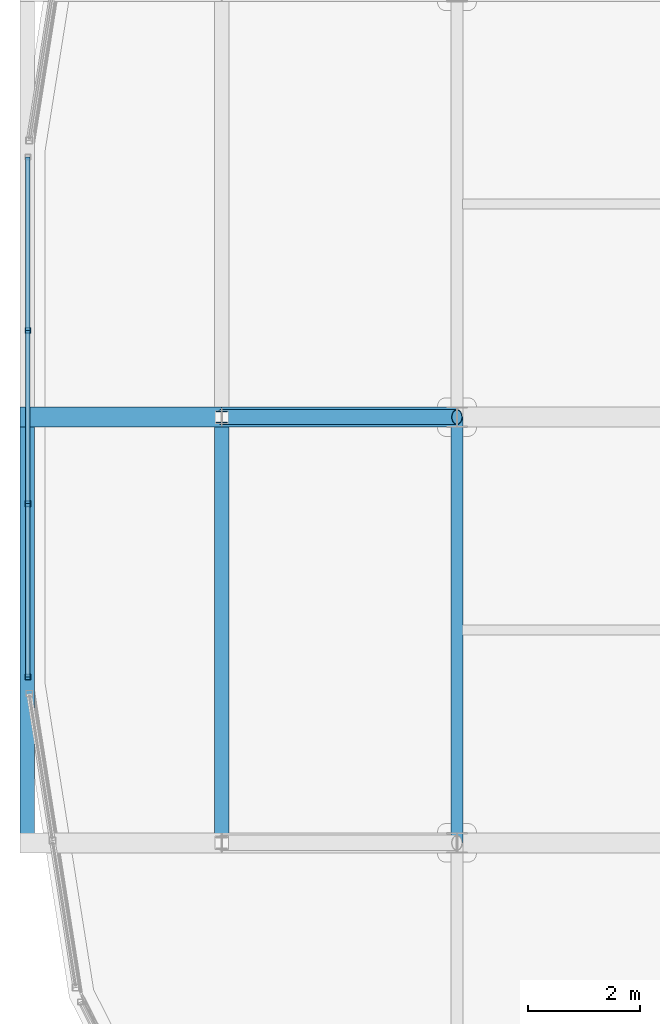
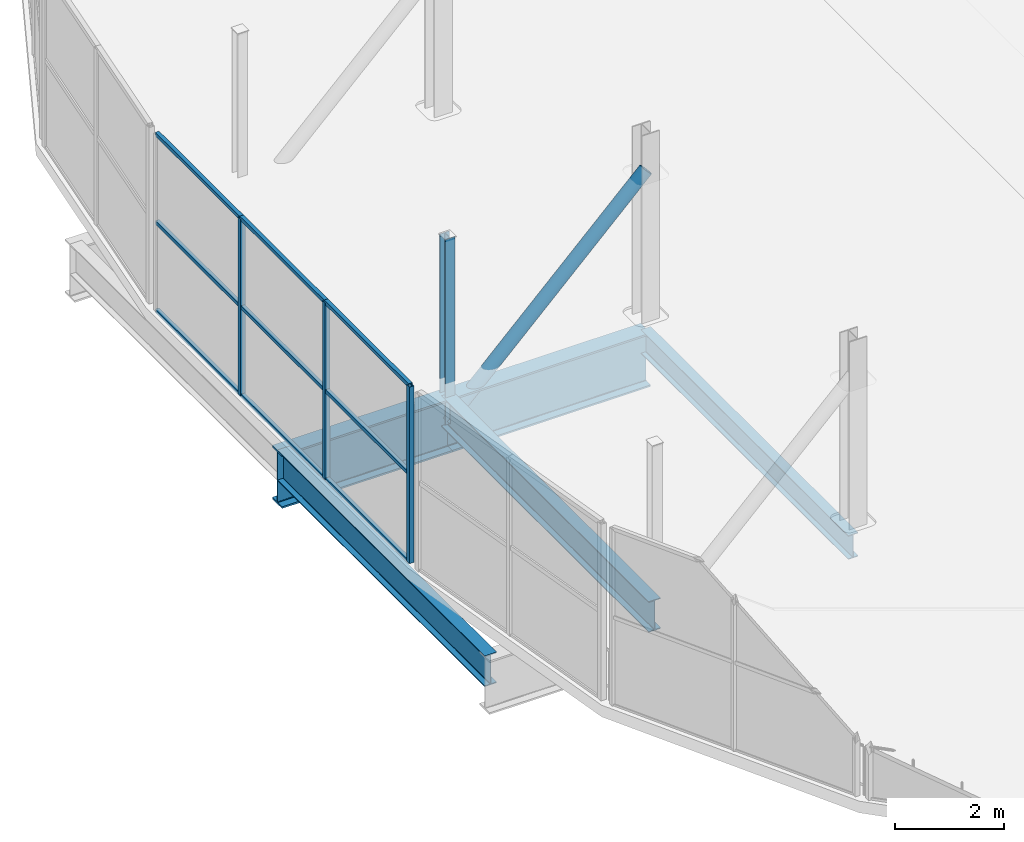
# One storey, part 24 of 217: 14 members, 5 beams, 1 element without a shape of its own.
"""IFC4 building model written with IfcOpenShell, lengths in metres."""

from ifc_helpers import new_model, si_unit, direction, frame, origin, origin_2d, place, context, subcontext, project, spatial, hollow_rectangle, hollow_circle, i_section, extrude, material, material_profile, profile_set, type_object, element, aggregate, save


model = new_model("IFC4")

# Units and contexts
model_context = context("Model", 3, precision=1e-05, world=origin(), true_north=direction((0.0, 1.0)))
body_context = subcontext(model_context, "Body", "Model", "MODEL_VIEW")
ifc_project = project(units=[si_unit("LENGTHUNIT", "METRE"), si_unit("AREAUNIT", "SQUARE_METRE"), si_unit("VOLUMEUNIT", "CUBIC_METRE"), si_unit("PLANEANGLEUNIT", "RADIAN"), si_unit("MASSUNIT", "GRAM", prefix="KILO")], contexts=[model_context])

# Site, building, storey
site_placement = place(None, origin())
site = spatial("IfcSite", under=ifc_project, at=site_placement, CompositionType="ELEMENT")
building_placement = place(site_placement, origin())
building = spatial("IfcBuilding", under=site, at=building_placement, Name="Zuvorla Pavilion Media Centre", CompositionType="ELEMENT")
storey_placement = place(building_placement, frame((0.0, 0.0, 9.60009765625)))
storey = spatial("IfcBuildingStorey", under=building, at=storey_placement, Name="L02", CompositionType="ELEMENT", Elevation=9.60009765625)

# Beams
ifc_material_1 = material(Name="Steel S355", Category="steel")
ifc_material_profile_1 = material_profile(ifc_material_1, i_section(OverallWidth=0.360107421875, OverallDepth=1.199951171875, WebThickness=0.02001953125, FlangeThickness=0.0380859375, FilletRadius=0.02392578125, at=origin_2d()), Name="PG 1200x360x38")
ifc_profile_set_1 = profile_set([ifc_material_profile_1], Name="Steel S355")
beam_type_1 = type_object("IfcBeamType", Name="BM-PG1200", PredefinedType="BEAM", material=ifc_profile_set_1)
beam_1_placement = place(storey_placement, frame((16.39990234375, 66.800048828125, -0.8681640625), z_axis=(-1.0, 0.0, 0.0), x_axis=(0.0, -1.0, 0.0)))
element("IfcBeam", 1, at=beam_1_placement, inside=storey, type_object=beam_type_1, Name="L02 beam B01 1672", PredefinedType="BEAM", context=body_context, shape_type="SweptSolid", body=[
    extrude(i_section(OverallWidth=0.360107421875, OverallDepth=1.199951171875, WebThickness=0.02001953125, FlangeThickness=0.0380859375, FilletRadius=0.02392578125, at=origin_2d()), origin(), (0.0, 0.0, 1.0), 4.199951171875),
])
beam_2_placement = place(storey_placement, frame((12.199951171875, 66.800048828125, -0.8681640625), z_axis=(-1.0, 0.0, 0.0), x_axis=(0.0, -1.0, 0.0)))
element("IfcBeam", 2, at=beam_2_placement, inside=storey, type_object=beam_type_1, Name="L02 beam B01 1673", PredefinedType="BEAM", context=body_context, shape_type="SweptSolid", body=[
    extrude(i_section(OverallWidth=0.360107421875, OverallDepth=1.199951171875, WebThickness=0.02001953125, FlangeThickness=0.0380859375, FilletRadius=0.02392578125, at=origin_2d()), origin(), (0.0, 0.0, 1.0), 3.599853515625),
])
ifc_material_profile_2 = material_profile(ifc_material_1, i_section(OverallWidth=0.2099609375, OverallDepth=0.53662109375, WebThickness=0.0107421875, FlangeThickness=0.017333984375, FilletRadius=0.0126953125, at=origin_2d()), Name="UB 533x210x101")
ifc_profile_set_2 = profile_set([ifc_material_profile_2], Name="Steel S355")
beam_type_2 = type_object("IfcBeamType", Name="BM-UB533", PredefinedType="BEAM", material=ifc_profile_set_2)
beam_3_placement = place(storey_placement, frame((16.39990234375, 59.199951171875, -0.536376953125), z_axis=(0.0, 1.0, 0.0), x_axis=(-1.0, 0.0, 0.0)))
element("IfcBeam", 3, at=beam_3_placement, inside=storey, type_object=beam_type_2, Name="L02 beam B08 892", PredefinedType="BEAM", context=body_context, shape_type="SweptSolid", body=[
    extrude(i_section(OverallWidth=0.2099609375, OverallDepth=0.53662109375, WebThickness=0.0107421875, FlangeThickness=0.017333984375, FilletRadius=0.0126953125, at=origin_2d()), origin(), (0.0, 0.0, 1.0), 7.60009765625),
])
ifc_material_profile_3 = material_profile(ifc_material_1, i_section(OverallWidth=0.25439453125, OverallDepth=0.6875, WebThickness=0.01318359375, FlangeThickness=0.02099609375, FilletRadius=0.01513671875, at=origin_2d()), Name="UB 686x254x152")
ifc_profile_set_3 = profile_set([ifc_material_profile_3], Name="Steel S355")
beam_type_3 = type_object("IfcBeamType", Name="BM-UB686", PredefinedType="BEAM", material=ifc_profile_set_3)
for number, where, z_axis, x_axis, name in (
    (4, (12.199951171875, 59.199951171875, -0.61181640625), (0.0, 1.0, 0.0), (-1.0, 0.0, 0.0), "L02 beam B06 1683"),
    (5, (8.72998046875, 59.199951171875, -0.61181640625), (0.0, 1.0, 0.0), (-1.0, 0.0, 0.0), "L02 beam B06 1685"),
):
    element("IfcBeam", number, at=place(storey_placement, frame(where, z_axis=z_axis, x_axis=x_axis)), inside=storey, type_object=beam_type_3, Name=name, PredefinedType="BEAM", context=body_context, shape_type="SweptSolid", body=[
        extrude(i_section(OverallWidth=0.25439453125, OverallDepth=0.6875, WebThickness=0.01318359375, FlangeThickness=0.02099609375, FilletRadius=0.01513671875, at=origin_2d()), origin(), (0.0, 0.0, 1.0), 7.60009765625),
    ])

# Curtain wall, members
ifc_material_2 = material(Name="Unitised anodised aluminium and solar glass curtain wall", Category="aluminium")
curtain_wall_type = type_object("IfcCurtainWallType", Name="CW-SYS-05", PredefinedType="USERDEFINED", material=ifc_material_2)
curtain_wall_placement = place(storey_placement, origin())
curtain_wall = element("IfcCurtainWall", 6, at=curtain_wall_placement, inside=storey, type_object=curtain_wall_type, Name="L02 curtain wall CW05 32", ObjectType="CURTAIN WALL", PredefinedType="USERDEFINED")
ifc_material_3 = material(Name="Anodised aluminium 6063-T6", Category="aluminium")
ifc_material_profile_4 = material_profile(ifc_material_3, hollow_rectangle(XDim=0.10009765625, YDim=0.10009765625, WallThickness=0.00439453125, at=origin_2d()), Name="ALU MULL 100x100")
ifc_profile_set_4 = profile_set([ifc_material_profile_4], Name="Anodised aluminium 6063-T6")
member_type_1 = type_object("IfcMemberType", Name="CW-MULL-100", PredefinedType="MULLION", material=ifc_profile_set_4)
member_1_placement = place(storey_placement, frame((8.739990234375, 68.3466796875, 0.0), z_axis=(0.0, 0.0, 1.0), x_axis=(1.0, 0.0, 0.0)))
member_1 = element("IfcMember", 7, at=member_1_placement, type_object=member_type_1, Name="CW05 mullion 2", PredefinedType="MULLION", context=body_context, shape_type="SweptSolid", body=[
    extrude(hollow_rectangle(XDim=0.10009765625, YDim=0.10009765625, WallThickness=0.00439453125, at=origin_2d()), origin(), (0.0, 0.0, 1.0), 3.949951171875),
])
member_2_placement = place(storey_placement, frame((8.739990234375, 65.25341796875, 0.0), z_axis=(0.0, 0.0, 1.0), x_axis=(1.0, 0.0, 0.0)))
member_2 = element("IfcMember", 8, at=member_2_placement, type_object=member_type_1, Name="CW05 mullion 3", PredefinedType="MULLION", context=body_context, shape_type="SweptSolid", body=[
    extrude(hollow_rectangle(XDim=0.10009765625, YDim=0.10009765625, WallThickness=0.00439453125, at=origin_2d()), origin(), (0.0, 0.0, 1.0), 3.949951171875),
])
member_3_placement = place(storey_placement, frame((8.739990234375, 62.159912109375, 0.0), z_axis=(0.0, 0.0, 1.0), x_axis=(1.0, 0.0, 0.0)))
member_3 = element("IfcMember", 9, at=member_3_placement, type_object=member_type_1, Name="CW05 mullion 4", PredefinedType="MULLION", context=body_context, shape_type="SweptSolid", body=[
    extrude(hollow_rectangle(XDim=0.10009765625, YDim=0.10009765625, WallThickness=0.00439453125, at=origin_2d()), origin(), (0.0, 0.0, 1.0), 3.949951171875),
])
ifc_material_profile_5 = material_profile(ifc_material_3, hollow_rectangle(XDim=0.080078125, YDim=0.080078125, WallThickness=0.00390625, at=origin_2d()), Name="ALU TRAN 80x80")
ifc_profile_set_5 = profile_set([ifc_material_profile_5], Name="Anodised aluminium 6063-T6")
member_type_2 = type_object("IfcMemberType", Name="CW-TRAN-80", PredefinedType="USERDEFINED", material=ifc_profile_set_5)
member_4_placement = place(storey_placement, frame((8.739990234375, 71.43994140625, 0.0), z_axis=(0.0, -1.0, 0.0), x_axis=(1.0, 0.0, 0.0)))
member_4 = element("IfcMember", 10, at=member_4_placement, type_object=member_type_2, Name="CW05 transom 1.1", ObjectType="TRANSOM", PredefinedType="USERDEFINED", context=body_context, shape_type="SweptSolid", body=[
    extrude(hollow_rectangle(XDim=0.080078125, YDim=0.080078125, WallThickness=0.00390625, at=origin_2d()), origin(), (0.0, 0.0, 1.0), 3.09326171875),
])
member_5_placement = place(storey_placement, frame((8.739990234375, 71.43994140625, 1.974853515625), z_axis=(0.0, -1.0, 0.0), x_axis=(1.0, 0.0, 0.0)))
member_5 = element("IfcMember", 11, at=member_5_placement, type_object=member_type_2, Name="CW05 transom 1.2", ObjectType="TRANSOM", PredefinedType="USERDEFINED", context=body_context, shape_type="SweptSolid", body=[
    extrude(hollow_rectangle(XDim=0.080078125, YDim=0.080078125, WallThickness=0.00390625, at=origin_2d()), origin(), (0.0, 0.0, 1.0), 3.09326171875),
])
member_6_placement = place(storey_placement, frame((8.739990234375, 71.43994140625, 3.949951171875), z_axis=(0.0, -1.0, 0.0), x_axis=(1.0, 0.0, 0.0)))
member_6 = element("IfcMember", 12, at=member_6_placement, type_object=member_type_2, Name="CW05 transom 1.3", ObjectType="TRANSOM", PredefinedType="USERDEFINED", context=body_context, shape_type="SweptSolid", body=[
    extrude(hollow_rectangle(XDim=0.080078125, YDim=0.080078125, WallThickness=0.00390625, at=origin_2d()), origin(), (0.0, 0.0, 1.0), 3.09326171875),
])
member_7_placement = place(storey_placement, frame((8.739990234375, 68.3466796875, 0.0), z_axis=(0.0, -1.0, 0.0), x_axis=(1.0, 0.0, 0.0)))
member_7 = element("IfcMember", 13, at=member_7_placement, type_object=member_type_2, Name="CW05 transom 2.1", ObjectType="TRANSOM", PredefinedType="USERDEFINED", context=body_context, shape_type="SweptSolid", body=[
    extrude(hollow_rectangle(XDim=0.080078125, YDim=0.080078125, WallThickness=0.00390625, at=origin_2d()), origin(), (0.0, 0.0, 1.0), 3.09326171875),
])
member_8_placement = place(storey_placement, frame((8.739990234375, 68.3466796875, 1.974853515625), z_axis=(0.0, -1.0, 0.0), x_axis=(1.0, 0.0, 0.0)))
member_8 = element("IfcMember", 14, at=member_8_placement, type_object=member_type_2, Name="CW05 transom 2.2", ObjectType="TRANSOM", PredefinedType="USERDEFINED", context=body_context, shape_type="SweptSolid", body=[
    extrude(hollow_rectangle(XDim=0.080078125, YDim=0.080078125, WallThickness=0.00390625, at=origin_2d()), origin(), (0.0, 0.0, 1.0), 3.09326171875),
])
member_9_placement = place(storey_placement, frame((8.739990234375, 68.3466796875, 3.949951171875), z_axis=(0.0, -1.0, 0.0), x_axis=(1.0, 0.0, 0.0)))
member_9 = element("IfcMember", 15, at=member_9_placement, type_object=member_type_2, Name="CW05 transom 2.3", ObjectType="TRANSOM", PredefinedType="USERDEFINED", context=body_context, shape_type="SweptSolid", body=[
    extrude(hollow_rectangle(XDim=0.080078125, YDim=0.080078125, WallThickness=0.00390625, at=origin_2d()), origin(), (0.0, 0.0, 1.0), 3.09326171875),
])
member_10_placement = place(storey_placement, frame((8.739990234375, 65.25341796875, 0.0), z_axis=(0.0, -1.0, 0.0), x_axis=(1.0, 0.0, 0.0)))
member_10 = element("IfcMember", 16, at=member_10_placement, type_object=member_type_2, Name="CW05 transom 3.1", ObjectType="TRANSOM", PredefinedType="USERDEFINED", context=body_context, shape_type="SweptSolid", body=[
    extrude(hollow_rectangle(XDim=0.080078125, YDim=0.080078125, WallThickness=0.00390625, at=origin_2d()), origin(), (0.0, 0.0, 1.0), 3.093505859375),
])
member_11_placement = place(storey_placement, frame((8.739990234375, 65.25341796875, 1.974853515625), z_axis=(0.0, -1.0, 0.0), x_axis=(1.0, 0.0, 0.0)))
member_11 = element("IfcMember", 17, at=member_11_placement, type_object=member_type_2, Name="CW05 transom 3.2", ObjectType="TRANSOM", PredefinedType="USERDEFINED", context=body_context, shape_type="SweptSolid", body=[
    extrude(hollow_rectangle(XDim=0.080078125, YDim=0.080078125, WallThickness=0.00390625, at=origin_2d()), origin(), (0.0, 0.0, 1.0), 3.093505859375),
])
member_12_placement = place(storey_placement, frame((8.739990234375, 65.25341796875, 3.949951171875), z_axis=(0.0, -1.0, 0.0), x_axis=(1.0, 0.0, 0.0)))
member_12 = element("IfcMember", 18, at=member_12_placement, type_object=member_type_2, Name="CW05 transom 3.3", ObjectType="TRANSOM", PredefinedType="USERDEFINED", context=body_context, shape_type="SweptSolid", body=[
    extrude(hollow_rectangle(XDim=0.080078125, YDim=0.080078125, WallThickness=0.00390625, at=origin_2d()), origin(), (0.0, 0.0, 1.0), 3.093505859375),
])
aggregate(curtain_wall, [member_1, member_2, member_3, member_4, member_5, member_6, member_7, member_8, member_9, member_10, member_11, member_12])

# Members
ifc_material_profile_6 = material_profile(ifc_material_1, hollow_circle(Radius=0.136474609375, WallThickness=0.012451171875, at=origin_2d()), Name="CHS 273x12.5")
ifc_profile_set_6 = profile_set([ifc_material_profile_6], Name="Steel S355")
member_type_3 = type_object("IfcMemberType", Name="MEM-BRC-CHS273", PredefinedType="BRACE", material=ifc_profile_set_6)
member_13_placement = place(storey_placement, frame((16.39990234375, 66.800048828125, 3.27978515625), z_axis=(-0.711332384643, 0.0, -0.702855773654), x_axis=(0.0, -1.0, 0.0)))
element("IfcMember", 19, at=member_13_placement, inside=storey, type_object=member_type_3, Name="L02 diagonal brace TB01 5", PredefinedType="BRACE", context=body_context, shape_type="SweptSolid", body=[
    extrude(hollow_circle(Radius=0.136474609375, WallThickness=0.012451171875, at=origin_2d()), origin(), (0.0, 0.0, 1.0), 5.904296875),
])
ifc_material_profile_7 = material_profile(ifc_material_1, i_section(OverallWidth=0.205810546875, OverallDepth=0.209716796875, WebThickness=0.009521484375, FlangeThickness=0.01416015625, FilletRadius=0.01025390625, at=origin_2d()), Name="UC 203x203x60")
ifc_profile_set_7 = profile_set([ifc_material_profile_7], Name="Steel S355")
member_type_4 = type_object("IfcMemberType", Name="MEM-STR-UC203", PredefinedType="STRUT", material=ifc_profile_set_7)
member_14_placement = place(storey_placement, frame((12.199951171875, 66.800048828125, -0.8701171875), z_axis=(0.0, 0.0, 1.0), x_axis=(1.0, 0.0, 0.0)))
element("IfcMember", 20, at=member_14_placement, inside=storey, type_object=member_type_4, Name="L02 vertical strut TS02 6", PredefinedType="STRUT", context=body_context, shape_type="SweptSolid", body=[
    extrude(i_section(OverallWidth=0.205810546875, OverallDepth=0.209716796875, WebThickness=0.009521484375, FlangeThickness=0.01416015625, FilletRadius=0.01025390625, at=origin_2d()), origin(), (0.0, 0.0, 1.0), 4.14990234375),
])

save(model, "model.ifc")
